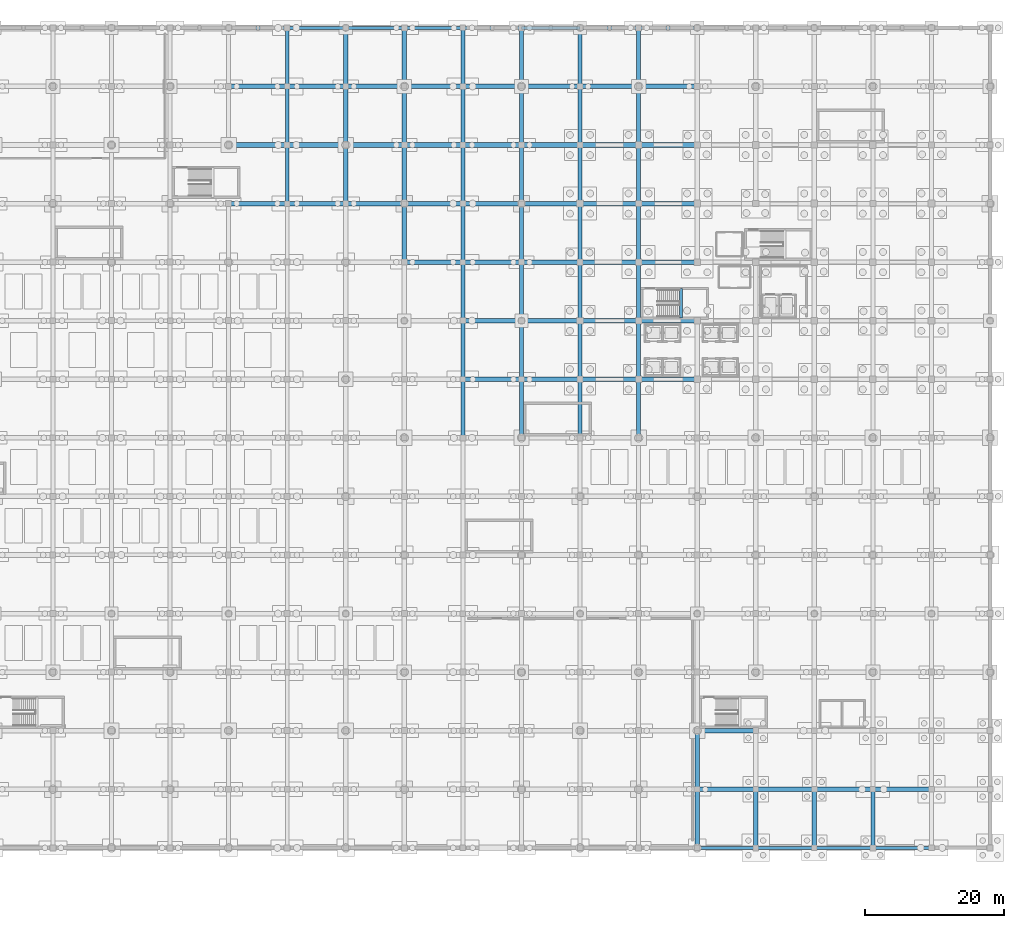
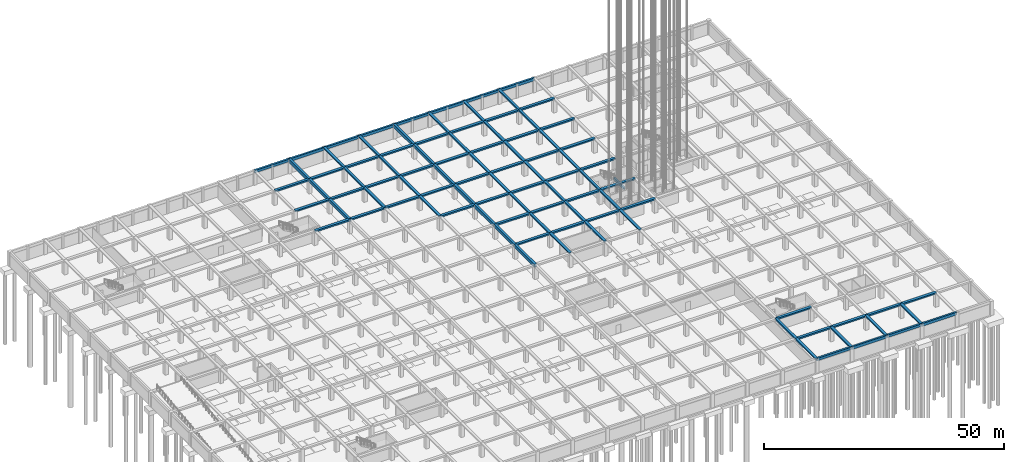
# One storey, part 15 of 47: 98 beams.
"""IFC4 building model written with IfcOpenShell, lengths in metres."""

from ifc_helpers import new_model, si_unit, direction, frame, origin, origin_2d, place, context, subcontext, project, spatial, rectangle, extrude, material, material_profile, profile_set, type_object, element, save


model = new_model("IFC4")

# Units and contexts
model_context = context("Model", 3, precision=1e-05, world=origin(), true_north=direction((0.0, 1.0)))
body_context = subcontext(model_context, "Body", "Model", "MODEL_VIEW")
ifc_project = project(units=[si_unit("LENGTHUNIT", "METRE"), si_unit("AREAUNIT", "SQUARE_METRE"), si_unit("VOLUMEUNIT", "CUBIC_METRE"), si_unit("PLANEANGLEUNIT", "RADIAN"), si_unit("MASSUNIT", "GRAM", prefix="KILO")], contexts=[model_context])

# Site, building, storey
site_placement = place(None, origin())
site = spatial("IfcSite", under=ifc_project, at=site_placement, CompositionType="ELEMENT")
building_placement = place(site_placement, origin())
building = spatial("IfcBuilding", under=site, at=building_placement, Name="Almacenes y Pasaje Nevantli", CompositionType="ELEMENT")
storey_placement = place(building_placement, frame((0.0, 0.0, -8.10009765625)))
storey = spatial("IfcBuildingStorey", under=building, at=storey_placement, Name="B02", CompositionType="ELEMENT", Elevation=-8.10009765625)

# Beams
ifc_material_1 = material(Name="Concrete C35/45", Category="concrete")
ifc_material_profile_1 = material_profile(ifc_material_1, rectangle(XDim=0.39990234375, YDim=0.60009765625, at=origin_2d()), Name="RC-BM-400x600")
ifc_profile_set_1 = profile_set([ifc_material_profile_1], Name="Concrete C35/45")
beam_type_1 = type_object("IfcBeamType", Name="BM-RC-400x600", PredefinedType="SPANDREL", material=ifc_profile_set_1)
beam_1_placement = place(storey_placement, frame((123.68994140625, 76.0, 1.4501953125), z_axis=(0.0, 1.0, 0.0), x_axis=(-1.0, 0.0, 0.0)))
element("IfcBeam", 1, at=beam_1_placement, inside=storey, type_object=beam_type_1, Name="B02 Stair ST-01 Half-Landing Support Beam", PredefinedType="SPANDREL", context=body_context, shape_type="SweptSolid", body=[
    extrude(rectangle(XDim=0.39990234375, YDim=0.60009765625, at=origin_2d()), origin(), (0.0, 0.0, 1.0), 4.18994140625),
])
ifc_material_2 = material(Name="Concrete C35/45", Category="concrete")
ifc_material_profile_2 = material_profile(ifc_material_2, rectangle(XDim=0.449951171875, YDim=0.64990234375, at=origin_2d()), Name="RC-BM-450x650")
ifc_profile_set_2 = profile_set([ifc_material_profile_2], Name="Concrete C35/45")
beam_type_2 = type_object("IfcBeamType", Name="BM-RC-450x650", PredefinedType="SPANDREL", material=ifc_profile_set_2)
for number, where, z_axis, x_axis, name in (
    (2, (126.0, 0.0, 3.275146484375), (1.0, 0.0, 0.0), (0.0, 1.0, 0.0), "B02 East-West Reinforced Concrete Beam #13"),
    (3, (142.800048828125, 0.0, 3.275146484375), (1.0, 0.0, 0.0), (0.0, 1.0, 0.0), "B02 East-West Reinforced Concrete Beam #15"),
    (4, (58.800048828125, 117.60009765625, 3.275146484375), (1.0, 0.0, 0.0), (0.0, 1.0, 0.0), "B02 East-West Reinforced Concrete Beam #279"),
    (5, (75.60009765625, 117.60009765625, 3.275146484375), (1.0, 0.0, 0.0), (0.0, 1.0, 0.0), "B02 East-West Reinforced Concrete Beam #281"),
):
    element("IfcBeam", number, at=place(storey_placement, frame(where, z_axis=z_axis, x_axis=x_axis)), inside=storey, type_object=beam_type_2, Name=name, PredefinedType="SPANDREL", context=body_context, shape_type="SweptSolid", body=[
        extrude(rectangle(XDim=0.449951171875, YDim=0.64990234375, at=origin_2d()), origin(), (0.0, 0.0, 1.0), 8.39990234375),
    ])
for number, where, z_axis, x_axis, name in (
    (6, (92.39990234375, 117.60009765625, 3.275146484375), (1.0, 0.0, 0.0), (0.0, 1.0, 0.0), "B02 East-West Reinforced Concrete Beam #283"),
    (7, (109.199951171875, 117.60009765625, 3.275146484375), (1.0, 0.0, 0.0), (0.0, 1.0, 0.0), "B02 East-West Reinforced Concrete Beam #285"),
):
    element("IfcBeam", number, at=place(storey_placement, frame(where, z_axis=z_axis, x_axis=x_axis)), inside=storey, type_object=beam_type_2, Name=name, PredefinedType="SPANDREL", context=body_context, shape_type="SweptSolid", body=[
        extrude(rectangle(XDim=0.449951171875, YDim=0.64990234375, at=origin_2d()), origin(), (0.0, 0.0, 1.0), 8.400146484375),
    ])
ifc_material_3 = material(Name="Concrete C35/45", Category="concrete")
ifc_material_profile_3 = material_profile(ifc_material_3, rectangle(XDim=0.449951171875, YDim=0.699951171875, at=origin_2d()), Name="RC-BM-450x700")
ifc_profile_set_3 = profile_set([ifc_material_profile_3], Name="Concrete C35/45")
beam_type_3 = type_object("IfcBeamType", Name="BM-RC-450x700", PredefinedType="SPANDREL", material=ifc_profile_set_3)
for number, where, z_axis, x_axis, name in (
    (8, (134.39990234375, 0.0, 3.25), (1.0, 0.0, 0.0), (0.0, 1.0, 0.0), "B02 East-West Reinforced Concrete Beam #14"),
    (9, (151.199951171875, 0.0, 3.25), (1.0, 0.0, 0.0), (0.0, 1.0, 0.0), "B02 East-West Reinforced Concrete Beam #16"),
    (10, (67.199951171875, 117.60009765625, 3.25), (1.0, 0.0, 0.0), (0.0, 1.0, 0.0), "B02 East-West Reinforced Concrete Beam #280"),
):
    element("IfcBeam", number, at=place(storey_placement, frame(where, z_axis=z_axis, x_axis=x_axis)), inside=storey, type_object=beam_type_3, Name=name, PredefinedType="SPANDREL", context=body_context, shape_type="SweptSolid", body=[
        extrude(rectangle(XDim=0.449951171875, YDim=0.699951171875, at=origin_2d()), origin(), (0.0, 0.0, 1.0), 8.400146484375),
    ])
for number, where, z_axis, x_axis, name in (
    (11, (84.0, 117.60009765625, 3.25), (1.0, 0.0, 0.0), (0.0, 1.0, 0.0), "B02 East-West Reinforced Concrete Beam #282"),
    (12, (100.800048828125, 117.60009765625, 3.25), (1.0, 0.0, 0.0), (0.0, 1.0, 0.0), "B02 East-West Reinforced Concrete Beam #284"),
    (13, (117.60009765625, 117.60009765625, 3.25), (1.0, 0.0, 0.0), (0.0, 1.0, 0.0), "B02 East-West Reinforced Concrete Beam #286"),
):
    element("IfcBeam", number, at=place(storey_placement, frame(where, z_axis=z_axis, x_axis=x_axis)), inside=storey, type_object=beam_type_3, Name=name, PredefinedType="SPANDREL", context=body_context, shape_type="SweptSolid", body=[
        extrude(rectangle(XDim=0.449951171875, YDim=0.699951171875, at=origin_2d()), origin(), (0.0, 0.0, 1.0), 8.39990234375),
    ])
ifc_material_4 = material(Name="Concrete C35/45", Category="concrete")
ifc_material_profile_4 = material_profile(ifc_material_4, rectangle(XDim=0.550048828125, YDim=0.800048828125, at=origin_2d()), Name="RC-BM-550x800")
ifc_profile_set_4 = profile_set([ifc_material_profile_4], Name="Concrete C35/45")
beam_type_4 = type_object("IfcBeamType", Name="BM-RC-550x800", PredefinedType="BEAM", material=ifc_profile_set_4)
beam_2_placement = place(storey_placement, frame((67.199951171875, 92.39990234375, 3.2001953125), z_axis=(0.0, 1.0, 0.0), x_axis=(-1.0, 0.0, 0.0)))
element("IfcBeam", 14, at=beam_2_placement, inside=storey, type_object=beam_type_4, Name="B02 North-South Reinforced Concrete Beam #403", PredefinedType="BEAM", context=body_context, shape_type="SweptSolid", body=[
    extrude(rectangle(XDim=0.550048828125, YDim=0.800048828125, at=origin_2d()), origin(), (0.0, 0.0, 1.0), 8.400146484375),
])
beam_3_placement = place(storey_placement, frame((67.199951171875, 100.800048828125, 3.2001953125), z_axis=(0.0, 1.0, 0.0), x_axis=(-1.0, 0.0, 0.0)))
element("IfcBeam", 15, at=beam_3_placement, inside=storey, type_object=beam_type_4, Name="B02 North-South Reinforced Concrete Beam #404", PredefinedType="BEAM", context=body_context, shape_type="SweptSolid", body=[
    extrude(rectangle(XDim=0.550048828125, YDim=0.800048828125, at=origin_2d()), origin(), (0.0, 0.0, 1.0), 8.39990234375),
])
beam_4_placement = place(storey_placement, frame((67.199951171875, 109.199951171875, 3.2001953125), z_axis=(0.0, 1.0, 0.0), x_axis=(-1.0, 0.0, 0.0)))
element("IfcBeam", 16, at=beam_4_placement, inside=storey, type_object=beam_type_4, Name="B02 North-South Reinforced Concrete Beam #405", PredefinedType="BEAM", context=body_context, shape_type="SweptSolid", body=[
    extrude(rectangle(XDim=0.550048828125, YDim=0.800048828125, at=origin_2d()), origin(), (0.0, 0.0, 1.0), 8.400146484375),
])
beam_5_placement = place(storey_placement, frame((92.39990234375, 58.800048828125, 3.2001953125), z_axis=(0.0, 1.0, 0.0), x_axis=(-1.0, 0.0, 0.0)))
element("IfcBeam", 17, at=beam_5_placement, inside=storey, type_object=beam_type_4, Name="B02 North-South Reinforced Concrete Beam #441", PredefinedType="BEAM", context=body_context, shape_type="SweptSolid", body=[
    extrude(rectangle(XDim=0.550048828125, YDim=0.800048828125, at=origin_2d()), origin(), (0.0, 0.0, 1.0), 8.39990234375),
])
beam_6_placement = place(storey_placement, frame((92.39990234375, 67.199951171875, 3.2001953125), z_axis=(0.0, 1.0, 0.0), x_axis=(-1.0, 0.0, 0.0)))
element("IfcBeam", 18, at=beam_6_placement, inside=storey, type_object=beam_type_4, Name="B02 North-South Reinforced Concrete Beam #442", PredefinedType="BEAM", context=body_context, shape_type="SweptSolid", body=[
    extrude(rectangle(XDim=0.550048828125, YDim=0.800048828125, at=origin_2d()), origin(), (0.0, 0.0, 1.0), 8.400146484375),
])
for number, where, z_axis, x_axis, name in (
    (19, (92.39990234375, 75.60009765625, 3.2001953125), (0.0, 1.0, 0.0), (-1.0, 0.0, 0.0), "B02 North-South Reinforced Concrete Beam #443"),
    (20, (92.39990234375, 84.0, 3.2001953125), (0.0, 1.0, 0.0), (-1.0, 0.0, 0.0), "B02 North-South Reinforced Concrete Beam #444"),
):
    element("IfcBeam", number, at=place(storey_placement, frame(where, z_axis=z_axis, x_axis=x_axis)), inside=storey, type_object=beam_type_4, Name=name, PredefinedType="BEAM", context=body_context, shape_type="SweptSolid", body=[
        extrude(rectangle(XDim=0.550048828125, YDim=0.800048828125, at=origin_2d()), origin(), (0.0, 0.0, 1.0), 8.39990234375),
    ])
beam_7_placement = place(storey_placement, frame((92.39990234375, 92.39990234375, 3.2001953125), z_axis=(0.0, 1.0, 0.0), x_axis=(-1.0, 0.0, 0.0)))
element("IfcBeam", 21, at=beam_7_placement, inside=storey, type_object=beam_type_4, Name="B02 North-South Reinforced Concrete Beam #445", PredefinedType="BEAM", context=body_context, shape_type="SweptSolid", body=[
    extrude(rectangle(XDim=0.550048828125, YDim=0.800048828125, at=origin_2d()), origin(), (0.0, 0.0, 1.0), 8.400146484375),
])
beam_8_placement = place(storey_placement, frame((92.39990234375, 100.800048828125, 3.2001953125), z_axis=(0.0, 1.0, 0.0), x_axis=(-1.0, 0.0, 0.0)))
element("IfcBeam", 22, at=beam_8_placement, inside=storey, type_object=beam_type_4, Name="B02 North-South Reinforced Concrete Beam #446", PredefinedType="BEAM", context=body_context, shape_type="SweptSolid", body=[
    extrude(rectangle(XDim=0.550048828125, YDim=0.800048828125, at=origin_2d()), origin(), (0.0, 0.0, 1.0), 8.39990234375),
])
beam_9_placement = place(storey_placement, frame((92.39990234375, 109.199951171875, 3.2001953125), z_axis=(0.0, 1.0, 0.0), x_axis=(-1.0, 0.0, 0.0)))
element("IfcBeam", 23, at=beam_9_placement, inside=storey, type_object=beam_type_4, Name="B02 North-South Reinforced Concrete Beam #447", PredefinedType="BEAM", context=body_context, shape_type="SweptSolid", body=[
    extrude(rectangle(XDim=0.550048828125, YDim=0.800048828125, at=origin_2d()), origin(), (0.0, 0.0, 1.0), 8.400146484375),
])
ifc_material_5 = material(Name="Concrete C35/45", Category="concrete")
ifc_material_profile_5 = material_profile(ifc_material_5, rectangle(XDim=0.60009765625, YDim=0.320068359375, at=origin_2d()), Name="RC-BM-600x320")
ifc_profile_set_5 = profile_set([ifc_material_profile_5], Name="Concrete C35/45")
beam_type_5 = type_object("IfcBeamType", Name="BM-RC-600x320", PredefinedType="BEAM", material=ifc_profile_set_5)
beam_10_placement = place(storey_placement, frame((75.60009765625, 100.800048828125, 3.440185546875), z_axis=(0.0, 1.0, 0.0), x_axis=(-1.0, 0.0, 0.0)))
element("IfcBeam", 24, at=beam_10_placement, inside=storey, type_object=beam_type_5, Name="B02 North-South Reinforced Concrete Beam #418", PredefinedType="BEAM", context=body_context, shape_type="SweptSolid", body=[
    extrude(rectangle(XDim=0.60009765625, YDim=0.320068359375, at=origin_2d()), origin(), (0.0, 0.0, 1.0), 8.39990234375),
])
for number, where, z_axis, x_axis, name in (
    (25, (84.0, 92.39990234375, 3.440185546875), (0.0, 1.0, 0.0), (-1.0, 0.0, 0.0), "B02 North-South Reinforced Concrete Beam #431"),
    (26, (84.0, 109.199951171875, 3.440185546875), (0.0, 1.0, 0.0), (-1.0, 0.0, 0.0), "B02 North-South Reinforced Concrete Beam #433"),
):
    element("IfcBeam", number, at=place(storey_placement, frame(where, z_axis=z_axis, x_axis=x_axis)), inside=storey, type_object=beam_type_5, Name=name, PredefinedType="BEAM", context=body_context, shape_type="SweptSolid", body=[
        extrude(rectangle(XDim=0.60009765625, YDim=0.320068359375, at=origin_2d()), origin(), (0.0, 0.0, 1.0), 8.400146484375),
    ])
for number, where, z_axis, x_axis, name in (
    (27, (100.800048828125, 58.800048828125, 3.440185546875), (0.0, 1.0, 0.0), (-1.0, 0.0, 0.0), "B02 North-South Reinforced Concrete Beam #455"),
    (28, (100.800048828125, 75.60009765625, 3.440185546875), (0.0, 1.0, 0.0), (-1.0, 0.0, 0.0), "B02 North-South Reinforced Concrete Beam #457"),
):
    element("IfcBeam", number, at=place(storey_placement, frame(where, z_axis=z_axis, x_axis=x_axis)), inside=storey, type_object=beam_type_5, Name=name, PredefinedType="BEAM", context=body_context, shape_type="SweptSolid", body=[
        extrude(rectangle(XDim=0.60009765625, YDim=0.320068359375, at=origin_2d()), origin(), (0.0, 0.0, 1.0), 8.39990234375),
    ])
for number, where, z_axis, x_axis, name in (
    (29, (100.800048828125, 92.39990234375, 3.440185546875), (0.0, 1.0, 0.0), (-1.0, 0.0, 0.0), "B02 North-South Reinforced Concrete Beam #459"),
    (30, (100.800048828125, 109.199951171875, 3.440185546875), (0.0, 1.0, 0.0), (-1.0, 0.0, 0.0), "B02 North-South Reinforced Concrete Beam #461"),
    (31, (109.199951171875, 67.199951171875, 3.440185546875), (0.0, 1.0, 0.0), (-1.0, 0.0, 0.0), "B02 North-South Reinforced Concrete Beam #470"),
):
    element("IfcBeam", number, at=place(storey_placement, frame(where, z_axis=z_axis, x_axis=x_axis)), inside=storey, type_object=beam_type_5, Name=name, PredefinedType="BEAM", context=body_context, shape_type="SweptSolid", body=[
        extrude(rectangle(XDim=0.60009765625, YDim=0.320068359375, at=origin_2d()), origin(), (0.0, 0.0, 1.0), 8.400146484375),
    ])
for number, where, z_axis, x_axis, name in (
    (32, (109.199951171875, 84.0, 3.440185546875), (0.0, 1.0, 0.0), (-1.0, 0.0, 0.0), "B02 North-South Reinforced Concrete Beam #472"),
    (33, (109.199951171875, 100.800048828125, 3.440185546875), (0.0, 1.0, 0.0), (-1.0, 0.0, 0.0), "B02 North-South Reinforced Concrete Beam #474"),
    (34, (117.60009765625, 58.800048828125, 3.440185546875), (0.0, 1.0, 0.0), (-1.0, 0.0, 0.0), "B02 North-South Reinforced Concrete Beam #483"),
    (35, (117.60009765625, 75.60009765625, 3.440185546875), (0.0, 1.0, 0.0), (-1.0, 0.0, 0.0), "B02 North-South Reinforced Concrete Beam #485"),
):
    element("IfcBeam", number, at=place(storey_placement, frame(where, z_axis=z_axis, x_axis=x_axis)), inside=storey, type_object=beam_type_5, Name=name, PredefinedType="BEAM", context=body_context, shape_type="SweptSolid", body=[
        extrude(rectangle(XDim=0.60009765625, YDim=0.320068359375, at=origin_2d()), origin(), (0.0, 0.0, 1.0), 8.39990234375),
    ])
for number, where, z_axis, x_axis, name in (
    (36, (117.60009765625, 92.39990234375, 3.440185546875), (0.0, 1.0, 0.0), (-1.0, 0.0, 0.0), "B02 North-South Reinforced Concrete Beam #487"),
    (37, (117.60009765625, 109.199951171875, 3.440185546875), (0.0, 1.0, 0.0), (-1.0, 0.0, 0.0), "B02 North-South Reinforced Concrete Beam #489"),
):
    element("IfcBeam", number, at=place(storey_placement, frame(where, z_axis=z_axis, x_axis=x_axis)), inside=storey, type_object=beam_type_5, Name=name, PredefinedType="BEAM", context=body_context, shape_type="SweptSolid", body=[
        extrude(rectangle(XDim=0.60009765625, YDim=0.320068359375, at=origin_2d()), origin(), (0.0, 0.0, 1.0), 8.400146484375),
    ])
for number, where, z_axis, x_axis, name in (
    (38, (126.0, 0.0, 3.440185546875), (0.0, 1.0, 0.0), (-1.0, 0.0, 0.0), "B02 North-South Reinforced Concrete Beam #490"),
    (39, (142.800048828125, 0.0, 3.440185546875), (0.0, 1.0, 0.0), (-1.0, 0.0, 0.0), "B02 North-South Reinforced Concrete Beam #515"),
):
    element("IfcBeam", number, at=place(storey_placement, frame(where, z_axis=z_axis, x_axis=x_axis)), inside=storey, type_object=beam_type_5, Name=name, PredefinedType="BEAM", context=body_context, shape_type="SweptSolid", body=[
        extrude(rectangle(XDim=0.60009765625, YDim=0.320068359375, at=origin_2d()), origin(), (0.0, 0.0, 1.0), 8.39990234375),
    ])
ifc_material_6 = material(Name="Concrete C35/45", Category="concrete")
ifc_material_profile_6 = material_profile(ifc_material_6, rectangle(XDim=0.60009765625, YDim=0.340087890625, at=origin_2d()), Name="RC-BM-600x340")
ifc_profile_set_6 = profile_set([ifc_material_profile_6], Name="Concrete C35/45")
beam_type_6 = type_object("IfcBeamType", Name="BM-RC-600x340", PredefinedType="BEAM", material=ifc_profile_set_6)
for number, where, z_axis, x_axis, name in (
    (40, (75.60009765625, 92.39990234375, 3.43017578125), (0.0, 1.0, 0.0), (-1.0, 0.0, 0.0), "B02 North-South Reinforced Concrete Beam #417"),
    (41, (75.60009765625, 109.199951171875, 3.43017578125), (0.0, 1.0, 0.0), (-1.0, 0.0, 0.0), "B02 North-South Reinforced Concrete Beam #419"),
):
    element("IfcBeam", number, at=place(storey_placement, frame(where, z_axis=z_axis, x_axis=x_axis)), inside=storey, type_object=beam_type_6, Name=name, PredefinedType="BEAM", context=body_context, shape_type="SweptSolid", body=[
        extrude(rectangle(XDim=0.60009765625, YDim=0.340087890625, at=origin_2d()), origin(), (0.0, 0.0, 1.0), 8.400146484375),
    ])
for number, where, z_axis, x_axis, name in (
    (42, (84.0, 84.0, 3.43017578125), (0.0, 1.0, 0.0), (-1.0, 0.0, 0.0), "B02 North-South Reinforced Concrete Beam #430"),
    (43, (84.0, 100.800048828125, 3.43017578125), (0.0, 1.0, 0.0), (-1.0, 0.0, 0.0), "B02 North-South Reinforced Concrete Beam #432"),
):
    element("IfcBeam", number, at=place(storey_placement, frame(where, z_axis=z_axis, x_axis=x_axis)), inside=storey, type_object=beam_type_6, Name=name, PredefinedType="BEAM", context=body_context, shape_type="SweptSolid", body=[
        extrude(rectangle(XDim=0.60009765625, YDim=0.340087890625, at=origin_2d()), origin(), (0.0, 0.0, 1.0), 8.39990234375),
    ])
beam_11_placement = place(storey_placement, frame((100.800048828125, 67.199951171875, 3.43017578125), z_axis=(0.0, 1.0, 0.0), x_axis=(-1.0, 0.0, 0.0)))
element("IfcBeam", 44, at=beam_11_placement, inside=storey, type_object=beam_type_6, Name="B02 North-South Reinforced Concrete Beam #456", PredefinedType="BEAM", context=body_context, shape_type="SweptSolid", body=[
    extrude(rectangle(XDim=0.60009765625, YDim=0.340087890625, at=origin_2d()), origin(), (0.0, 0.0, 1.0), 8.400146484375),
])
for number, where, z_axis, x_axis, name in (
    (45, (100.800048828125, 84.0, 3.43017578125), (0.0, 1.0, 0.0), (-1.0, 0.0, 0.0), "B02 North-South Reinforced Concrete Beam #458"),
    (46, (100.800048828125, 100.800048828125, 3.43017578125), (0.0, 1.0, 0.0), (-1.0, 0.0, 0.0), "B02 North-South Reinforced Concrete Beam #460"),
    (47, (109.199951171875, 58.800048828125, 3.43017578125), (0.0, 1.0, 0.0), (-1.0, 0.0, 0.0), "B02 North-South Reinforced Concrete Beam #469"),
    (48, (109.199951171875, 75.60009765625, 3.43017578125), (0.0, 1.0, 0.0), (-1.0, 0.0, 0.0), "B02 North-South Reinforced Concrete Beam #471"),
):
    element("IfcBeam", number, at=place(storey_placement, frame(where, z_axis=z_axis, x_axis=x_axis)), inside=storey, type_object=beam_type_6, Name=name, PredefinedType="BEAM", context=body_context, shape_type="SweptSolid", body=[
        extrude(rectangle(XDim=0.60009765625, YDim=0.340087890625, at=origin_2d()), origin(), (0.0, 0.0, 1.0), 8.39990234375),
    ])
for number, where, z_axis, x_axis, name in (
    (49, (109.199951171875, 92.39990234375, 3.43017578125), (0.0, 1.0, 0.0), (-1.0, 0.0, 0.0), "B02 North-South Reinforced Concrete Beam #473"),
    (50, (109.199951171875, 109.199951171875, 3.43017578125), (0.0, 1.0, 0.0), (-1.0, 0.0, 0.0), "B02 North-South Reinforced Concrete Beam #475"),
    (51, (117.60009765625, 67.199951171875, 3.43017578125), (0.0, 1.0, 0.0), (-1.0, 0.0, 0.0), "B02 North-South Reinforced Concrete Beam #484"),
):
    element("IfcBeam", number, at=place(storey_placement, frame(where, z_axis=z_axis, x_axis=x_axis)), inside=storey, type_object=beam_type_6, Name=name, PredefinedType="BEAM", context=body_context, shape_type="SweptSolid", body=[
        extrude(rectangle(XDim=0.60009765625, YDim=0.340087890625, at=origin_2d()), origin(), (0.0, 0.0, 1.0), 8.400146484375),
    ])
for number, where, z_axis, x_axis, name in (
    (52, (117.60009765625, 84.0, 3.43017578125), (0.0, 1.0, 0.0), (-1.0, 0.0, 0.0), "B02 North-South Reinforced Concrete Beam #486"),
    (53, (117.60009765625, 100.800048828125, 3.43017578125), (0.0, 1.0, 0.0), (-1.0, 0.0, 0.0), "B02 North-South Reinforced Concrete Beam #488"),
):
    element("IfcBeam", number, at=place(storey_placement, frame(where, z_axis=z_axis, x_axis=x_axis)), inside=storey, type_object=beam_type_6, Name=name, PredefinedType="BEAM", context=body_context, shape_type="SweptSolid", body=[
        extrude(rectangle(XDim=0.60009765625, YDim=0.340087890625, at=origin_2d()), origin(), (0.0, 0.0, 1.0), 8.39990234375),
    ])
beam_12_placement = place(storey_placement, frame((126.0, 8.39990234375, 3.43017578125), z_axis=(0.0, 1.0, 0.0), x_axis=(-1.0, 0.0, 0.0)))
element("IfcBeam", 54, at=beam_12_placement, inside=storey, type_object=beam_type_6, Name="B02 North-South Reinforced Concrete Beam #491", PredefinedType="BEAM", context=body_context, shape_type="SweptSolid", body=[
    extrude(rectangle(XDim=0.60009765625, YDim=0.340087890625, at=origin_2d()), origin(), (0.0, 0.0, 1.0), 8.400146484375),
])
for number, where, z_axis, x_axis, name in (
    (55, (134.39990234375, 0.0, 3.43017578125), (0.0, 1.0, 0.0), (-1.0, 0.0, 0.0), "B02 North-South Reinforced Concrete Beam #503"),
    (56, (151.199951171875, 0.0, 3.43017578125), (0.0, 1.0, 0.0), (-1.0, 0.0, 0.0), "B02 North-South Reinforced Concrete Beam #529"),
):
    element("IfcBeam", number, at=place(storey_placement, frame(where, z_axis=z_axis, x_axis=x_axis)), inside=storey, type_object=beam_type_6, Name=name, PredefinedType="BEAM", context=body_context, shape_type="SweptSolid", body=[
        extrude(rectangle(XDim=0.60009765625, YDim=0.340087890625, at=origin_2d()), origin(), (0.0, 0.0, 1.0), 8.39990234375),
    ])
ifc_material_7 = material(Name="Concrete C35/45", Category="concrete")
ifc_material_profile_7 = material_profile(ifc_material_7, rectangle(XDim=0.64990234375, YDim=0.35009765625, at=origin_2d()), Name="RC-BM-650x350")
ifc_profile_set_7 = profile_set([ifc_material_profile_7], Name="Concrete C35/45")
beam_type_7 = type_object("IfcBeamType", Name="BM-RC-650x350", PredefinedType="BEAM", material=ifc_profile_set_7)
for number, where, z_axis, x_axis, name in (
    (57, (134.39990234375, 8.39990234375, 3.425048828125), (1.0, 0.0, 0.0), (0.0, 1.0, 0.0), "B02 East-West Reinforced Concrete Beam #31"),
    (58, (151.199951171875, 8.39990234375, 3.425048828125), (1.0, 0.0, 0.0), (0.0, 1.0, 0.0), "B02 East-West Reinforced Concrete Beam #33"),
):
    element("IfcBeam", number, at=place(storey_placement, frame(where, z_axis=z_axis, x_axis=x_axis)), inside=storey, type_object=beam_type_7, Name=name, PredefinedType="BEAM", context=body_context, shape_type="SweptSolid", body=[
        extrude(rectangle(XDim=0.64990234375, YDim=0.35009765625, at=origin_2d()), origin(), (0.0, 0.0, 1.0), 8.400146484375),
    ])
beam_13_placement = place(storey_placement, frame((126.0, 16.800048828125, 3.425048828125), z_axis=(1.0, 0.0, 0.0), x_axis=(0.0, 1.0, 0.0)))
element("IfcBeam", 59, at=beam_13_placement, inside=storey, type_object=beam_type_7, Name="B02 East-West Reinforced Concrete Beam #47", PredefinedType="BEAM", context=body_context, shape_type="SweptSolid", body=[
    extrude(rectangle(XDim=0.64990234375, YDim=0.35009765625, at=origin_2d()), origin(), (0.0, 0.0, 1.0), 8.39990234375),
])
for number, where, z_axis, x_axis, name in (
    (60, (92.39990234375, 67.199951171875, 3.425048828125), (1.0, 0.0, 0.0), (0.0, 1.0, 0.0), "B02 East-West Reinforced Concrete Beam #163"),
    (61, (109.199951171875, 67.199951171875, 3.425048828125), (1.0, 0.0, 0.0), (0.0, 1.0, 0.0), "B02 East-West Reinforced Concrete Beam #165"),
):
    element("IfcBeam", number, at=place(storey_placement, frame(where, z_axis=z_axis, x_axis=x_axis)), inside=storey, type_object=beam_type_7, Name=name, PredefinedType="BEAM", context=body_context, shape_type="SweptSolid", body=[
        extrude(rectangle(XDim=0.64990234375, YDim=0.35009765625, at=origin_2d()), origin(), (0.0, 0.0, 1.0), 8.400146484375),
    ])
for number, where, z_axis, x_axis, name in (
    (62, (100.800048828125, 75.60009765625, 3.425048828125), (1.0, 0.0, 0.0), (0.0, 1.0, 0.0), "B02 East-West Reinforced Concrete Beam #184"),
    (63, (117.60009765625, 75.60009765625, 3.425048828125), (1.0, 0.0, 0.0), (0.0, 1.0, 0.0), "B02 East-West Reinforced Concrete Beam #186"),
):
    element("IfcBeam", number, at=place(storey_placement, frame(where, z_axis=z_axis, x_axis=x_axis)), inside=storey, type_object=beam_type_7, Name=name, PredefinedType="BEAM", context=body_context, shape_type="SweptSolid", body=[
        extrude(rectangle(XDim=0.64990234375, YDim=0.35009765625, at=origin_2d()), origin(), (0.0, 0.0, 1.0), 8.39990234375),
    ])
for number, where, z_axis, x_axis, name in (
    (64, (92.39990234375, 84.0, 3.425048828125), (1.0, 0.0, 0.0), (0.0, 1.0, 0.0), "B02 East-West Reinforced Concrete Beam #203"),
    (65, (109.199951171875, 84.0, 3.425048828125), (1.0, 0.0, 0.0), (0.0, 1.0, 0.0), "B02 East-West Reinforced Concrete Beam #205"),
    (66, (67.199951171875, 92.39990234375, 3.425048828125), (1.0, 0.0, 0.0), (0.0, 1.0, 0.0), "B02 East-West Reinforced Concrete Beam #220"),
):
    element("IfcBeam", number, at=place(storey_placement, frame(where, z_axis=z_axis, x_axis=x_axis)), inside=storey, type_object=beam_type_7, Name=name, PredefinedType="BEAM", context=body_context, shape_type="SweptSolid", body=[
        extrude(rectangle(XDim=0.64990234375, YDim=0.35009765625, at=origin_2d()), origin(), (0.0, 0.0, 1.0), 8.400146484375),
    ])
for number, where, z_axis, x_axis, name in (
    (67, (84.0, 92.39990234375, 3.425048828125), (1.0, 0.0, 0.0), (0.0, 1.0, 0.0), "B02 East-West Reinforced Concrete Beam #222"),
    (68, (100.800048828125, 92.39990234375, 3.425048828125), (1.0, 0.0, 0.0), (0.0, 1.0, 0.0), "B02 East-West Reinforced Concrete Beam #224"),
    (69, (117.60009765625, 92.39990234375, 3.425048828125), (1.0, 0.0, 0.0), (0.0, 1.0, 0.0), "B02 East-West Reinforced Concrete Beam #226"),
    (70, (58.800048828125, 100.800048828125, 3.425048828125), (1.0, 0.0, 0.0), (0.0, 1.0, 0.0), "B02 East-West Reinforced Concrete Beam #239"),
    (71, (75.60009765625, 100.800048828125, 3.425048828125), (1.0, 0.0, 0.0), (0.0, 1.0, 0.0), "B02 East-West Reinforced Concrete Beam #241"),
):
    element("IfcBeam", number, at=place(storey_placement, frame(where, z_axis=z_axis, x_axis=x_axis)), inside=storey, type_object=beam_type_7, Name=name, PredefinedType="BEAM", context=body_context, shape_type="SweptSolid", body=[
        extrude(rectangle(XDim=0.64990234375, YDim=0.35009765625, at=origin_2d()), origin(), (0.0, 0.0, 1.0), 8.39990234375),
    ])
for number, where, z_axis, x_axis, name in (
    (72, (92.39990234375, 100.800048828125, 3.425048828125), (1.0, 0.0, 0.0), (0.0, 1.0, 0.0), "B02 East-West Reinforced Concrete Beam #243"),
    (73, (109.199951171875, 100.800048828125, 3.425048828125), (1.0, 0.0, 0.0), (0.0, 1.0, 0.0), "B02 East-West Reinforced Concrete Beam #245"),
    (74, (67.199951171875, 109.199951171875, 3.425048828125), (1.0, 0.0, 0.0), (0.0, 1.0, 0.0), "B02 East-West Reinforced Concrete Beam #260"),
):
    element("IfcBeam", number, at=place(storey_placement, frame(where, z_axis=z_axis, x_axis=x_axis)), inside=storey, type_object=beam_type_7, Name=name, PredefinedType="BEAM", context=body_context, shape_type="SweptSolid", body=[
        extrude(rectangle(XDim=0.64990234375, YDim=0.35009765625, at=origin_2d()), origin(), (0.0, 0.0, 1.0), 8.400146484375),
    ])
for number, where, z_axis, x_axis, name in (
    (75, (84.0, 109.199951171875, 3.425048828125), (1.0, 0.0, 0.0), (0.0, 1.0, 0.0), "B02 East-West Reinforced Concrete Beam #262"),
    (76, (100.800048828125, 109.199951171875, 3.425048828125), (1.0, 0.0, 0.0), (0.0, 1.0, 0.0), "B02 East-West Reinforced Concrete Beam #264"),
    (77, (117.60009765625, 109.199951171875, 3.425048828125), (1.0, 0.0, 0.0), (0.0, 1.0, 0.0), "B02 East-West Reinforced Concrete Beam #266"),
):
    element("IfcBeam", number, at=place(storey_placement, frame(where, z_axis=z_axis, x_axis=x_axis)), inside=storey, type_object=beam_type_7, Name=name, PredefinedType="BEAM", context=body_context, shape_type="SweptSolid", body=[
        extrude(rectangle(XDim=0.64990234375, YDim=0.35009765625, at=origin_2d()), origin(), (0.0, 0.0, 1.0), 8.39990234375),
    ])
ifc_material_8 = material(Name="Concrete C35/45", Category="concrete")
ifc_material_profile_8 = material_profile(ifc_material_8, rectangle(XDim=0.64990234375, YDim=0.3798828125, at=origin_2d()), Name="RC-BM-650x380")
ifc_profile_set_8 = profile_set([ifc_material_profile_8], Name="Concrete C35/45")
beam_type_8 = type_object("IfcBeamType", Name="BM-RC-650x380", PredefinedType="BEAM", material=ifc_profile_set_8)
for number, where, z_axis, x_axis, name in (
    (78, (126.0, 8.39990234375, 3.41015625), (1.0, 0.0, 0.0), (0.0, 1.0, 0.0), "B02 East-West Reinforced Concrete Beam #30"),
    (79, (142.800048828125, 8.39990234375, 3.41015625), (1.0, 0.0, 0.0), (0.0, 1.0, 0.0), "B02 East-West Reinforced Concrete Beam #32"),
    (80, (100.800048828125, 67.199951171875, 3.41015625), (1.0, 0.0, 0.0), (0.0, 1.0, 0.0), "B02 East-West Reinforced Concrete Beam #164"),
    (81, (117.60009765625, 67.199951171875, 3.41015625), (1.0, 0.0, 0.0), (0.0, 1.0, 0.0), "B02 East-West Reinforced Concrete Beam #166"),
):
    element("IfcBeam", number, at=place(storey_placement, frame(where, z_axis=z_axis, x_axis=x_axis)), inside=storey, type_object=beam_type_8, Name=name, PredefinedType="BEAM", context=body_context, shape_type="SweptSolid", body=[
        extrude(rectangle(XDim=0.64990234375, YDim=0.3798828125, at=origin_2d()), origin(), (0.0, 0.0, 1.0), 8.39990234375),
    ])
for number, where, z_axis, x_axis, name in (
    (82, (92.39990234375, 75.60009765625, 3.41015625), (1.0, 0.0, 0.0), (0.0, 1.0, 0.0), "B02 East-West Reinforced Concrete Beam #183"),
    (83, (109.199951171875, 75.60009765625, 3.41015625), (1.0, 0.0, 0.0), (0.0, 1.0, 0.0), "B02 East-West Reinforced Concrete Beam #185"),
):
    element("IfcBeam", number, at=place(storey_placement, frame(where, z_axis=z_axis, x_axis=x_axis)), inside=storey, type_object=beam_type_8, Name=name, PredefinedType="BEAM", context=body_context, shape_type="SweptSolid", body=[
        extrude(rectangle(XDim=0.64990234375, YDim=0.3798828125, at=origin_2d()), origin(), (0.0, 0.0, 1.0), 8.400146484375),
    ])
for number, where, z_axis, x_axis, name in (
    (84, (84.0, 84.0, 3.41015625), (1.0, 0.0, 0.0), (0.0, 1.0, 0.0), "B02 East-West Reinforced Concrete Beam #202"),
    (85, (100.800048828125, 84.0, 3.41015625), (1.0, 0.0, 0.0), (0.0, 1.0, 0.0), "B02 East-West Reinforced Concrete Beam #204"),
    (86, (117.60009765625, 84.0, 3.41015625), (1.0, 0.0, 0.0), (0.0, 1.0, 0.0), "B02 East-West Reinforced Concrete Beam #206"),
    (87, (58.800048828125, 92.39990234375, 3.41015625), (1.0, 0.0, 0.0), (0.0, 1.0, 0.0), "B02 East-West Reinforced Concrete Beam #219"),
    (88, (75.60009765625, 92.39990234375, 3.41015625), (1.0, 0.0, 0.0), (0.0, 1.0, 0.0), "B02 East-West Reinforced Concrete Beam #221"),
):
    element("IfcBeam", number, at=place(storey_placement, frame(where, z_axis=z_axis, x_axis=x_axis)), inside=storey, type_object=beam_type_8, Name=name, PredefinedType="BEAM", context=body_context, shape_type="SweptSolid", body=[
        extrude(rectangle(XDim=0.64990234375, YDim=0.3798828125, at=origin_2d()), origin(), (0.0, 0.0, 1.0), 8.39990234375),
    ])
for number, where, z_axis, x_axis, name in (
    (89, (92.39990234375, 92.39990234375, 3.41015625), (1.0, 0.0, 0.0), (0.0, 1.0, 0.0), "B02 East-West Reinforced Concrete Beam #223"),
    (90, (109.199951171875, 92.39990234375, 3.41015625), (1.0, 0.0, 0.0), (0.0, 1.0, 0.0), "B02 East-West Reinforced Concrete Beam #225"),
    (91, (67.199951171875, 100.800048828125, 3.41015625), (1.0, 0.0, 0.0), (0.0, 1.0, 0.0), "B02 East-West Reinforced Concrete Beam #240"),
):
    element("IfcBeam", number, at=place(storey_placement, frame(where, z_axis=z_axis, x_axis=x_axis)), inside=storey, type_object=beam_type_8, Name=name, PredefinedType="BEAM", context=body_context, shape_type="SweptSolid", body=[
        extrude(rectangle(XDim=0.64990234375, YDim=0.3798828125, at=origin_2d()), origin(), (0.0, 0.0, 1.0), 8.400146484375),
    ])
for number, where, z_axis, x_axis, name in (
    (92, (84.0, 100.800048828125, 3.41015625), (1.0, 0.0, 0.0), (0.0, 1.0, 0.0), "B02 East-West Reinforced Concrete Beam #242"),
    (93, (100.800048828125, 100.800048828125, 3.41015625), (1.0, 0.0, 0.0), (0.0, 1.0, 0.0), "B02 East-West Reinforced Concrete Beam #244"),
    (94, (117.60009765625, 100.800048828125, 3.41015625), (1.0, 0.0, 0.0), (0.0, 1.0, 0.0), "B02 East-West Reinforced Concrete Beam #246"),
    (95, (58.800048828125, 109.199951171875, 3.41015625), (1.0, 0.0, 0.0), (0.0, 1.0, 0.0), "B02 East-West Reinforced Concrete Beam #259"),
    (96, (75.60009765625, 109.199951171875, 3.41015625), (1.0, 0.0, 0.0), (0.0, 1.0, 0.0), "B02 East-West Reinforced Concrete Beam #261"),
):
    element("IfcBeam", number, at=place(storey_placement, frame(where, z_axis=z_axis, x_axis=x_axis)), inside=storey, type_object=beam_type_8, Name=name, PredefinedType="BEAM", context=body_context, shape_type="SweptSolid", body=[
        extrude(rectangle(XDim=0.64990234375, YDim=0.3798828125, at=origin_2d()), origin(), (0.0, 0.0, 1.0), 8.39990234375),
    ])
for number, where, z_axis, x_axis, name in (
    (97, (92.39990234375, 109.199951171875, 3.41015625), (1.0, 0.0, 0.0), (0.0, 1.0, 0.0), "B02 East-West Reinforced Concrete Beam #263"),
    (98, (109.199951171875, 109.199951171875, 3.41015625), (1.0, 0.0, 0.0), (0.0, 1.0, 0.0), "B02 East-West Reinforced Concrete Beam #265"),
):
    element("IfcBeam", number, at=place(storey_placement, frame(where, z_axis=z_axis, x_axis=x_axis)), inside=storey, type_object=beam_type_8, Name=name, PredefinedType="BEAM", context=body_context, shape_type="SweptSolid", body=[
        extrude(rectangle(XDim=0.64990234375, YDim=0.3798828125, at=origin_2d()), origin(), (0.0, 0.0, 1.0), 8.400146484375),
    ])

save(model, "model.ifc")
